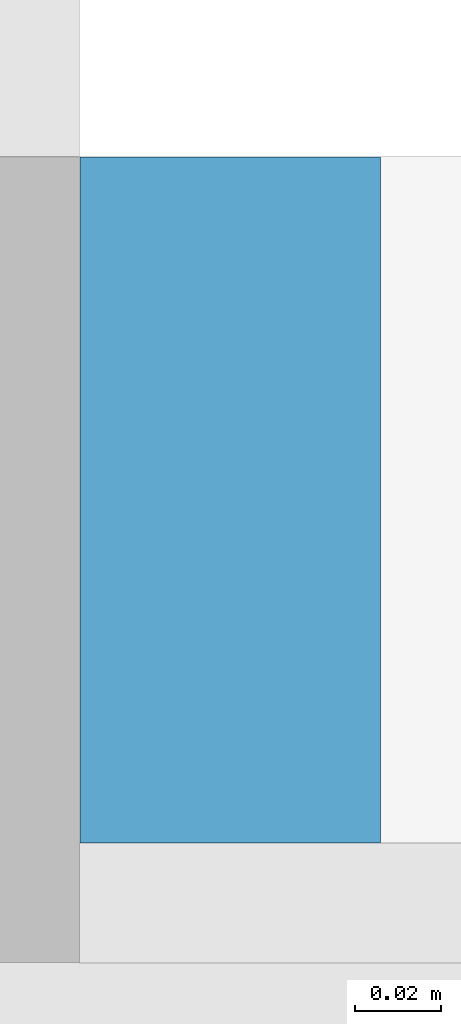
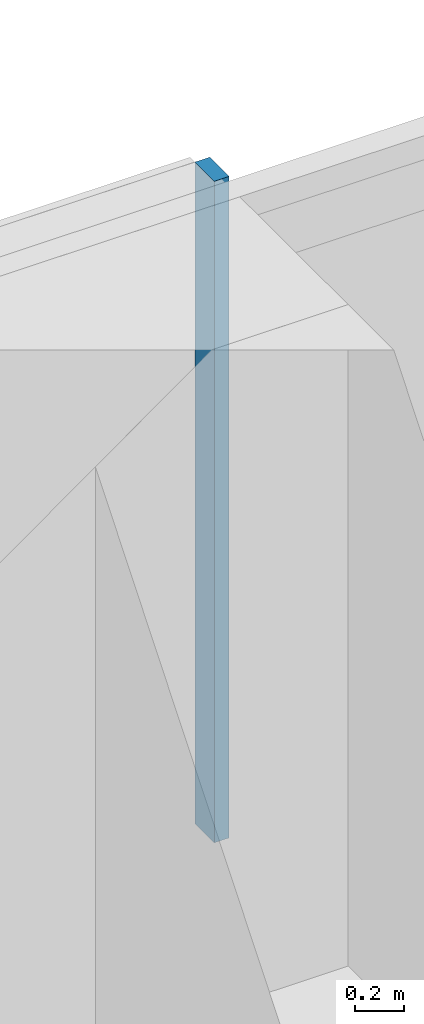
# One storey, part 10 of 29: 1 member, 1 element without a shape of its own.
"""IFC4 building model written with IfcOpenShell, lengths in metres."""

from ifc_helpers import new_model, si_unit, direction, frame, origin, origin_2d, place, context, subcontext, project, spatial, rectangle, extrude, material, material_profile, profile_set, type_object, element, aggregate, save


model = new_model("IFC4")

# Units and contexts
model_context = context("Model", 3, precision=1e-05, world=origin(), true_north=direction((0.0, 1.0)))
body_context = subcontext(model_context, "Body", "Model", "MODEL_VIEW")
ifc_project = project(units=[si_unit("LENGTHUNIT", "METRE"), si_unit("AREAUNIT", "SQUARE_METRE"), si_unit("VOLUMEUNIT", "CUBIC_METRE"), si_unit("PLANEANGLEUNIT", "RADIAN"), si_unit("MASSUNIT", "GRAM", prefix="KILO")], contexts=[model_context])

# Site, building, storey
site_placement = place(None, origin())
site = spatial("IfcSite", under=ifc_project, at=site_placement, CompositionType="ELEMENT")
building_placement = place(site_placement, origin())
building = spatial("IfcBuilding", under=site, at=building_placement, Name="Saffron Gate Tower", CompositionType="ELEMENT")
storey_placement = place(building_placement, frame((0.0, 0.0, 48.0)))
storey = spatial("IfcBuildingStorey", under=building, at=storey_placement, Name="L10", CompositionType="ELEMENT", Elevation=48.0)

# Curtain wall, member
ifc_material = material(Name="Aluminium, bronze anodised", Category="aluminium")
curtain_wall_type = type_object("IfcCurtainWallType", Name="CWS3 curtain wall rear facade", PredefinedType="NOTDEFINED", material=ifc_material)
curtain_wall_placement = place(storey_placement, origin())
curtain_wall = element("IfcCurtainWall", 1, at=curtain_wall_placement, inside=storey, type_object=curtain_wall_type, Name="CWS3 run 7", PredefinedType="NOTDEFINED")
ifc_material_profile = material_profile(ifc_material, rectangle(XDim=0.159912109375, YDim=0.070068359375, at=origin_2d()))
ifc_profile_set = profile_set([ifc_material_profile], Name="Aluminium, bronze anodised")
member_type = type_object("IfcMemberType", Name="CWS3 mullion 70x160", PredefinedType="MULLION", material=ifc_profile_set)
member_placement = place(storey_placement, frame((108.60009765625, 75.52001953125, 0.0), z_axis=(0.0, 0.0, 1.0), x_axis=(0.0, -1.0, 0.0)))
member = element("IfcMember", 2, at=member_placement, type_object=member_type, Name="CWS3 mullion 3", PredefinedType="MULLION", context=body_context, shape_type="SweptSolid", body=[
    extrude(rectangle(XDim=0.159912109375, YDim=0.070068359375, at=origin_2d()), origin(), (0.0, 0.0, 1.0), 3.320068359375),
])
aggregate(curtain_wall, [member])

save(model, "model.ifc")
